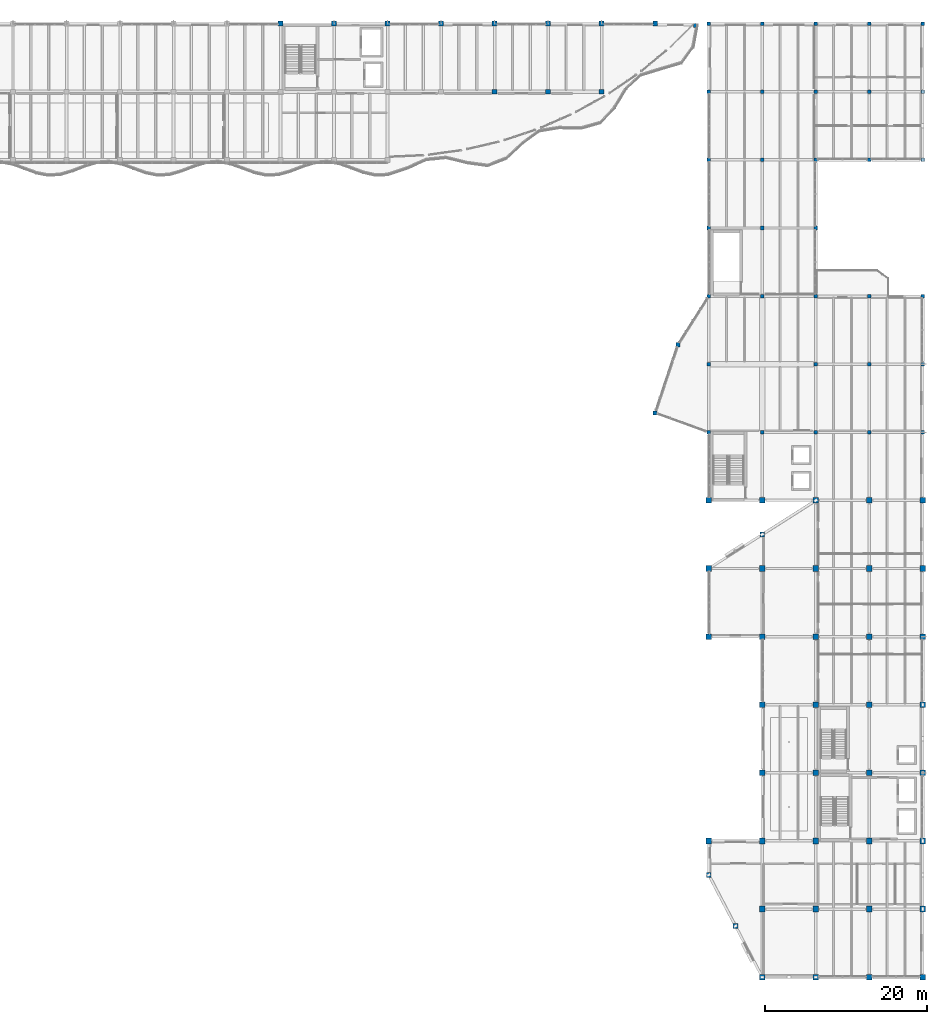
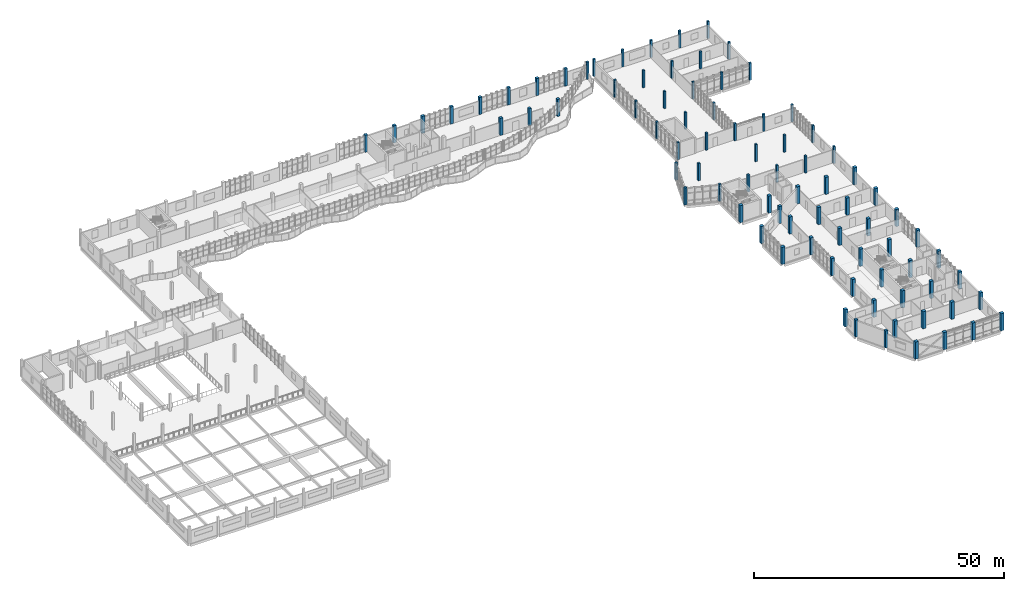
# One storey, part 2 of 74: 85 columns.
"""IFC4 building model written with IfcOpenShell, lengths in metres."""

from ifc_helpers import new_model, si_unit, direction, frame, origin, origin_2d, place, context, subcontext, project, spatial, rectangle, extrude, material, material_profile, profile_set, type_object, element, save


model = new_model("IFC4")

# Units and contexts
model_context = context("Model", 3, precision=1e-05, world=origin(), true_north=direction((0.0, 1.0)))
body_context = subcontext(model_context, "Body", "Model", "MODEL_VIEW")
ifc_project = project(units=[si_unit("LENGTHUNIT", "METRE"), si_unit("AREAUNIT", "SQUARE_METRE"), si_unit("VOLUMEUNIT", "CUBIC_METRE"), si_unit("PLANEANGLEUNIT", "RADIAN"), si_unit("MASSUNIT", "GRAM", prefix="KILO")], contexts=[model_context])

# Site, building, storey
site_placement = place(None, origin())
site = spatial("IfcSite", under=ifc_project, at=site_placement, CompositionType="ELEMENT")
building_placement = place(site_placement, origin())
building = spatial("IfcBuilding", under=site, at=building_placement, Name="Qaldarim Faculty of Natural and Applied Sciences", CompositionType="ELEMENT")
storey_placement = place(building_placement, frame((0.0, 0.0, 14.39990234375)))
storey = spatial("IfcBuildingStorey", under=building, at=storey_placement, Name="L03", CompositionType="ELEMENT", Elevation=14.39990234375)

# Columns
ifc_material_1 = material(Name="Concrete C40/50", Category="concrete")
ifc_material_profile_1 = material_profile(ifc_material_1, rectangle(XDim=0.449951171875, YDim=0.449951171875, at=origin_2d()), Name="RC-C450x450")
ifc_profile_set_1 = profile_set([ifc_material_profile_1], Name="Concrete C40/50")
column_type_1 = type_object("IfcColumnType", Name="Column-RC450x450", PredefinedType="COLUMN", material=ifc_profile_set_1)
for number, where, z_axis, x_axis, name in (
    (1, (151.800048828125, 67.199951171875, 0.0), (0.0, 0.0, 1.0), (1.0, 0.0, 0.0), "Column X24/Y09 L03"),
    (2, (151.800048828125, 75.60009765625, 0.0), (0.0, 0.0, 1.0), (1.0, 0.0, 0.0), "Column X24/Y10 L03"),
    (3, (151.800048828125, 84.0, 0.0), (0.0, 0.0, 1.0), (1.0, 0.0, 0.0), "Column X24/Y11 L03"),
    (4, (151.800048828125, 92.39990234375, 0.0), (0.0, 0.0, 1.0), (1.0, 0.0, 0.0), "Column X24/Y12 L03"),
    (5, (151.800048828125, 100.800048828125, 0.0), (0.0, 0.0, 1.0), (1.0, 0.0, 0.0), "Column X24/Y13 L03"),
    (6, (151.800048828125, 109.199951171875, 0.0), (0.0, 0.0, 1.0), (1.0, 0.0, 0.0), "Column X24/Y14 L03"),
    (7, (151.800048828125, 117.60009765625, 0.0), (0.0, 0.0, 1.0), (1.0, 0.0, 0.0), "Column X24/Y15 L03"),
    (8, (158.39990234375, 67.199951171875, 0.0), (0.0, 0.0, 1.0), (1.0, 0.0, 0.0), "Column X25/Y09 L03"),
    (9, (158.39990234375, 84.0, 0.0), (0.0, 0.0, 1.0), (1.0, 0.0, 0.0), "Column X25/Y11 L03"),
    (10, (158.39990234375, 92.39990234375, 0.0), (0.0, 0.0, 1.0), (1.0, 0.0, 0.0), "Column X25/Y12 L03"),
    (11, (158.39990234375, 100.800048828125, 0.0), (0.0, 0.0, 1.0), (1.0, 0.0, 0.0), "Column X25/Y13 L03"),
    (12, (158.39990234375, 109.199951171875, 0.0), (0.0, 0.0, 1.0), (1.0, 0.0, 0.0), "Column X25/Y14 L03"),
    (13, (158.39990234375, 117.60009765625, 0.0), (0.0, 0.0, 1.0), (1.0, 0.0, 0.0), "Column X25/Y15 L03"),
    (14, (165.0, 67.199951171875, 0.0), (0.0, 0.0, 1.0), (1.0, 0.0, 0.0), "Column X26/Y09 L03"),
    (15, (165.0, 75.60009765625, 0.0), (0.0, 0.0, 1.0), (1.0, 0.0, 0.0), "Column X26/Y10 L03"),
    (16, (165.0, 84.0, 0.0), (0.0, 0.0, 1.0), (1.0, 0.0, 0.0), "Column X26/Y11 L03"),
    (17, (165.0, 92.39990234375, 0.0), (0.0, 0.0, 1.0), (1.0, 0.0, 0.0), "Column X26/Y12 L03"),
    (18, (165.0, 100.800048828125, 0.0), (0.0, 0.0, 1.0), (1.0, 0.0, 0.0), "Column X26/Y13 L03"),
    (19, (165.0, 109.199951171875, 0.0), (0.0, 0.0, 1.0), (1.0, 0.0, 0.0), "Column X26/Y14 L03"),
    (20, (165.0, 117.60009765625, 0.0), (0.0, 0.0, 1.0), (1.0, 0.0, 0.0), "Column X26/Y15 L03"),
    (21, (171.60009765625, 67.199951171875, 0.0), (0.0, 0.0, 1.0), (1.0, 0.0, 0.0), "Column X27/Y09 L03"),
    (22, (171.60009765625, 75.60009765625, 0.0), (0.0, 0.0, 1.0), (1.0, 0.0, 0.0), "Column X27/Y10 L03"),
    (23, (171.60009765625, 84.0, 0.0), (0.0, 0.0, 1.0), (1.0, 0.0, 0.0), "Column X27/Y11 L03"),
    (24, (171.60009765625, 100.800048828125, 0.0), (0.0, 0.0, 1.0), (1.0, 0.0, 0.0), "Column X27/Y13 L03"),
    (25, (171.60009765625, 109.199951171875, 0.0), (0.0, 0.0, 1.0), (1.0, 0.0, 0.0), "Column X27/Y14 L03"),
    (26, (171.60009765625, 117.60009765625, 0.0), (0.0, 0.0, 1.0), (1.0, 0.0, 0.0), "Column X27/Y15 L03"),
    (27, (178.199951171875, 67.199951171875, 0.0), (0.0, 0.0, 1.0), (1.0, 0.0, 0.0), "Column X28/Y09 L03"),
    (28, (178.199951171875, 75.60009765625, 0.0), (0.0, 0.0, 1.0), (1.0, 0.0, 0.0), "Column X28/Y10 L03"),
    (29, (178.199951171875, 84.0, 0.0), (0.0, 0.0, 1.0), (1.0, 0.0, 0.0), "Column X28/Y11 L03"),
    (30, (178.199951171875, 100.800048828125, 0.0), (0.0, 0.0, 1.0), (1.0, 0.0, 0.0), "Column X28/Y13 L03"),
    (31, (178.199951171875, 109.199951171875, 0.0), (0.0, 0.0, 1.0), (1.0, 0.0, 0.0), "Column X28/Y14 L03"),
    (32, (178.199951171875, 117.60009765625, 0.0), (0.0, 0.0, 1.0), (1.0, 0.0, 0.0), "Column X28/Y15 L03"),
    (33, (150.14990234375, 117.375, 0.0), (0.0, 0.0, 1.0), (1.0, 0.0, 0.0), "Special structural column V4-NE L03"),
):
    element("IfcColumn", number, at=place(storey_placement, frame(where, z_axis=z_axis, x_axis=x_axis)), inside=storey, type_object=column_type_1, Name=name, PredefinedType="COLUMN", context=body_context, shape_type="SweptSolid", body=[
        extrude(rectangle(XDim=0.449951171875, YDim=0.449951171875, at=origin_2d()), origin(), (0.0, 0.0, 1.0), 4.2001953125),
    ])
ifc_material_2 = material(Name="Concrete C50/60", Category="concrete")
ifc_material_profile_2 = material_profile(ifc_material_2, rectangle(XDim=0.5, YDim=0.5, at=origin_2d()), Name="RC-C500x500")
ifc_profile_set_2 = profile_set([ifc_material_profile_2], Name="Concrete C50/60")
column_type_2 = type_object("IfcColumnType", Name="Column-RC500x500", PredefinedType="COLUMN", material=ifc_profile_set_2)
for number, where, z_axis, x_axis, name in (
    (34, (145.199951171875, 69.60009765625, 0.0), (0.0, 0.0, 1.0), (1.0, 0.0, 0.0), "Special structural column V3-PRW-S L03"),
    (35, (148.0, 78.0, 0.0), (0.0, 0.0, 1.0), (1.0, 0.0, 0.0), "Special structural column V3-PRW-N L03"),
):
    element("IfcColumn", number, at=place(storey_placement, frame(where, z_axis=z_axis, x_axis=x_axis)), inside=storey, type_object=column_type_2, Name=name, PredefinedType="COLUMN", context=body_context, shape_type="SweptSolid", body=[
        extrude(rectangle(XDim=0.5, YDim=0.5, at=origin_2d()), origin(), (0.0, 0.0, 1.0), 4.2001953125),
    ])
ifc_material_profile_3 = material_profile(ifc_material_2, rectangle(XDim=0.60009765625, YDim=0.60009765625, at=origin_2d()), Name="RC-C600x600")
ifc_profile_set_3 = profile_set([ifc_material_profile_3], Name="Concrete C50/60")
column_type_3 = type_object("IfcColumnType", Name="Column-RC600x600", PredefinedType="COLUMN", material=ifc_profile_set_3)
for number, where, z_axis, x_axis, name in (
    (36, (99.0, 117.60009765625, 0.0), (0.0, 0.0, 1.0), (1.0, 0.0, 0.0), "Column X16/Y15 L03"),
    (37, (105.60009765625, 117.60009765625, 0.0), (0.0, 0.0, 1.0), (1.0, 0.0, 0.0), "Column X17/Y15 L03"),
    (38, (112.199951171875, 117.60009765625, 0.0), (0.0, 0.0, 1.0), (1.0, 0.0, 0.0), "Column X18/Y15 L03"),
    (39, (118.800048828125, 117.60009765625, 0.0), (0.0, 0.0, 1.0), (1.0, 0.0, 0.0), "Column X19/Y15 L03"),
    (40, (125.39990234375, 109.199951171875, 0.0), (0.0, 0.0, 1.0), (1.0, 0.0, 0.0), "Column X20/Y14 L03"),
    (41, (125.39990234375, 117.60009765625, 0.0), (0.0, 0.0, 1.0), (1.0, 0.0, 0.0), "Column X20/Y15 L03"),
    (42, (132.0, 109.199951171875, 0.0), (0.0, 0.0, 1.0), (1.0, 0.0, 0.0), "Column X21/Y14 L03"),
    (43, (132.0, 117.60009765625, 0.0), (0.0, 0.0, 1.0), (1.0, 0.0, 0.0), "Column X21/Y15 L03"),
    (44, (138.60009765625, 109.199951171875, 0.0), (0.0, 0.0, 1.0), (1.0, 0.0, 0.0), "Column X22/Y14 L03"),
    (45, (138.60009765625, 117.60009765625, 0.0), (0.0, 0.0, 1.0), (1.0, 0.0, 0.0), "Column X22/Y15 L03"),
    (46, (145.199951171875, 117.60009765625, 0.0), (0.0, 0.0, 1.0), (1.0, 0.0, 0.0), "Column X23/Y15 L03"),
    (47, (151.800048828125, 12.60009765625, 0.0), (0.0, 0.0, 1.0), (1.0, 0.0, 0.0), "Special structural column V5-SW1 L03"),
    (48, (155.10009765625, 6.300048828125, 0.0), (0.0, 0.0, 1.0), (1.0, 0.0, 0.0), "Special structural column V5-SW2 L03"),
    (49, (158.39990234375, 54.60009765625, 0.0), (0.0, 0.0, 1.0), (1.0, 0.0, 0.0), "Special structural column V5-NW6 L03"),
):
    element("IfcColumn", number, at=place(storey_placement, frame(where, z_axis=z_axis, x_axis=x_axis)), inside=storey, type_object=column_type_3, Name=name, PredefinedType="COLUMN", context=body_context, shape_type="SweptSolid", body=[
        extrude(rectangle(XDim=0.60009765625, YDim=0.60009765625, at=origin_2d()), origin(), (0.0, 0.0, 1.0), 4.2001953125),
    ])
ifc_material_profile_4 = material_profile(ifc_material_2, rectangle(XDim=0.699951171875, YDim=0.699951171875, at=origin_2d()), Name="RC-C700x700")
ifc_profile_set_4 = profile_set([ifc_material_profile_4], Name="Concrete C50/60")
column_type_4 = type_object("IfcColumnType", Name="Column-RC700x700", PredefinedType="COLUMN", material=ifc_profile_set_4)
for number, where, z_axis, x_axis, name in (
    (50, (151.800048828125, 16.800048828125, 0.0), (0.0, 0.0, 1.0), (1.0, 0.0, 0.0), "Column X24/Y03 L03"),
    (51, (151.800048828125, 42.0, 0.0), (0.0, 0.0, 1.0), (1.0, 0.0, 0.0), "Column X24/Y06 L03"),
    (52, (151.800048828125, 50.39990234375, 0.0), (0.0, 0.0, 1.0), (1.0, 0.0, 0.0), "Column X24/Y07 L03"),
    (53, (151.800048828125, 58.800048828125, 0.0), (0.0, 0.0, 1.0), (1.0, 0.0, 0.0), "Column X24/Y08 L03"),
    (54, (158.39990234375, 0.0, 0.0), (0.0, 0.0, 1.0), (1.0, 0.0, 0.0), "Column X25/Y01 L03"),
    (55, (158.39990234375, 8.39990234375, 0.0), (0.0, 0.0, 1.0), (1.0, 0.0, 0.0), "Column X25/Y02 L03"),
    (56, (158.39990234375, 16.800048828125, 0.0), (0.0, 0.0, 1.0), (1.0, 0.0, 0.0), "Column X25/Y03 L03"),
    (57, (158.39990234375, 25.199951171875, 0.0), (0.0, 0.0, 1.0), (1.0, 0.0, 0.0), "Column X25/Y04 L03"),
    (58, (158.39990234375, 33.60009765625, 0.0), (0.0, 0.0, 1.0), (1.0, 0.0, 0.0), "Column X25/Y05 L03"),
    (59, (158.39990234375, 42.0, 0.0), (0.0, 0.0, 1.0), (1.0, 0.0, 0.0), "Column X25/Y06 L03"),
    (60, (158.39990234375, 50.39990234375, 0.0), (0.0, 0.0, 1.0), (1.0, 0.0, 0.0), "Column X25/Y07 L03"),
    (61, (158.39990234375, 58.800048828125, 0.0), (0.0, 0.0, 1.0), (1.0, 0.0, 0.0), "Column X25/Y08 L03"),
    (62, (165.0, 0.0, 0.0), (0.0, 0.0, 1.0), (1.0, 0.0, 0.0), "Column X26/Y01 L03"),
    (63, (165.0, 8.39990234375, 0.0), (0.0, 0.0, 1.0), (1.0, 0.0, 0.0), "Column X26/Y02 L03"),
    (64, (165.0, 16.800048828125, 0.0), (0.0, 0.0, 1.0), (1.0, 0.0, 0.0), "Column X26/Y03 L03"),
    (65, (165.0, 25.199951171875, 0.0), (0.0, 0.0, 1.0), (1.0, 0.0, 0.0), "Column X26/Y04 L03"),
    (66, (165.0, 33.60009765625, 0.0), (0.0, 0.0, 1.0), (1.0, 0.0, 0.0), "Column X26/Y05 L03"),
    (67, (165.0, 42.0, 0.0), (0.0, 0.0, 1.0), (1.0, 0.0, 0.0), "Column X26/Y06 L03"),
    (68, (165.0, 50.39990234375, 0.0), (0.0, 0.0, 1.0), (1.0, 0.0, 0.0), "Column X26/Y07 L03"),
    (69, (165.0, 58.800048828125, 0.0), (0.0, 0.0, 1.0), (1.0, 0.0, 0.0), "Column X26/Y08 L03"),
    (70, (171.60009765625, 0.0, 0.0), (0.0, 0.0, 1.0), (1.0, 0.0, 0.0), "Column X27/Y01 L03"),
    (71, (171.60009765625, 8.39990234375, 0.0), (0.0, 0.0, 1.0), (1.0, 0.0, 0.0), "Column X27/Y02 L03"),
    (72, (171.60009765625, 16.800048828125, 0.0), (0.0, 0.0, 1.0), (1.0, 0.0, 0.0), "Column X27/Y03 L03"),
    (73, (171.60009765625, 25.199951171875, 0.0), (0.0, 0.0, 1.0), (1.0, 0.0, 0.0), "Column X27/Y04 L03"),
    (74, (171.60009765625, 33.60009765625, 0.0), (0.0, 0.0, 1.0), (1.0, 0.0, 0.0), "Column X27/Y05 L03"),
    (75, (171.60009765625, 42.0, 0.0), (0.0, 0.0, 1.0), (1.0, 0.0, 0.0), "Column X27/Y06 L03"),
    (76, (171.60009765625, 50.39990234375, 0.0), (0.0, 0.0, 1.0), (1.0, 0.0, 0.0), "Column X27/Y07 L03"),
    (77, (171.60009765625, 58.800048828125, 0.0), (0.0, 0.0, 1.0), (1.0, 0.0, 0.0), "Column X27/Y08 L03"),
    (78, (178.199951171875, 0.0, 0.0), (0.0, 0.0, 1.0), (1.0, 0.0, 0.0), "Column X28/Y01 L03"),
    (79, (178.199951171875, 8.39990234375, 0.0), (0.0, 0.0, 1.0), (1.0, 0.0, 0.0), "Column X28/Y02 L03"),
    (80, (178.199951171875, 16.800048828125, 0.0), (0.0, 0.0, 1.0), (1.0, 0.0, 0.0), "Column X28/Y03 L03"),
    (81, (178.199951171875, 25.199951171875, 0.0), (0.0, 0.0, 1.0), (1.0, 0.0, 0.0), "Column X28/Y04 L03"),
    (82, (178.199951171875, 33.60009765625, 0.0), (0.0, 0.0, 1.0), (1.0, 0.0, 0.0), "Column X28/Y05 L03"),
    (83, (178.199951171875, 42.0, 0.0), (0.0, 0.0, 1.0), (1.0, 0.0, 0.0), "Column X28/Y06 L03"),
    (84, (178.199951171875, 50.39990234375, 0.0), (0.0, 0.0, 1.0), (1.0, 0.0, 0.0), "Column X28/Y07 L03"),
    (85, (178.199951171875, 58.800048828125, 0.0), (0.0, 0.0, 1.0), (1.0, 0.0, 0.0), "Column X28/Y08 L03"),
):
    element("IfcColumn", number, at=place(storey_placement, frame(where, z_axis=z_axis, x_axis=x_axis)), inside=storey, type_object=column_type_4, Name=name, PredefinedType="COLUMN", context=body_context, shape_type="SweptSolid", body=[
        extrude(rectangle(XDim=0.699951171875, YDim=0.699951171875, at=origin_2d()), origin(), (0.0, 0.0, 1.0), 4.2001953125),
    ])

save(model, "model.ifc")
